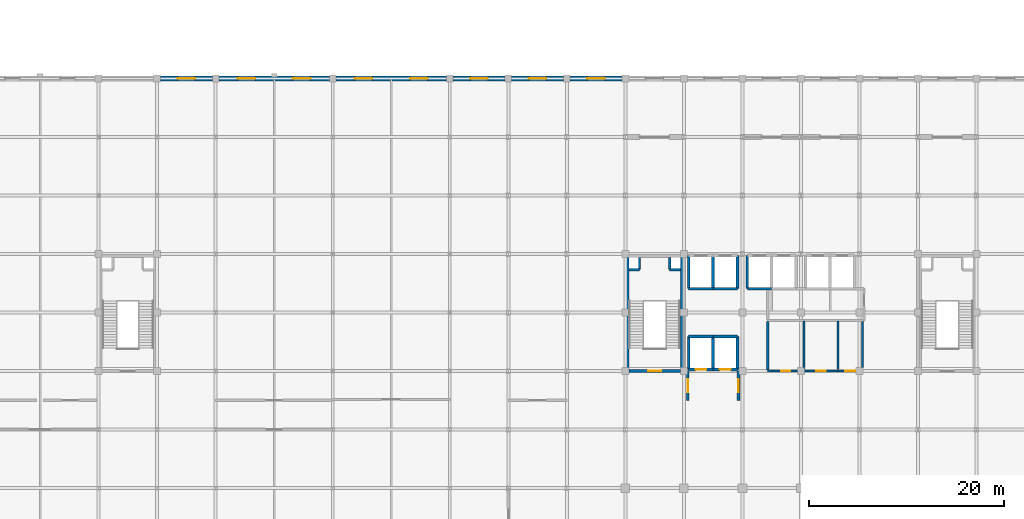
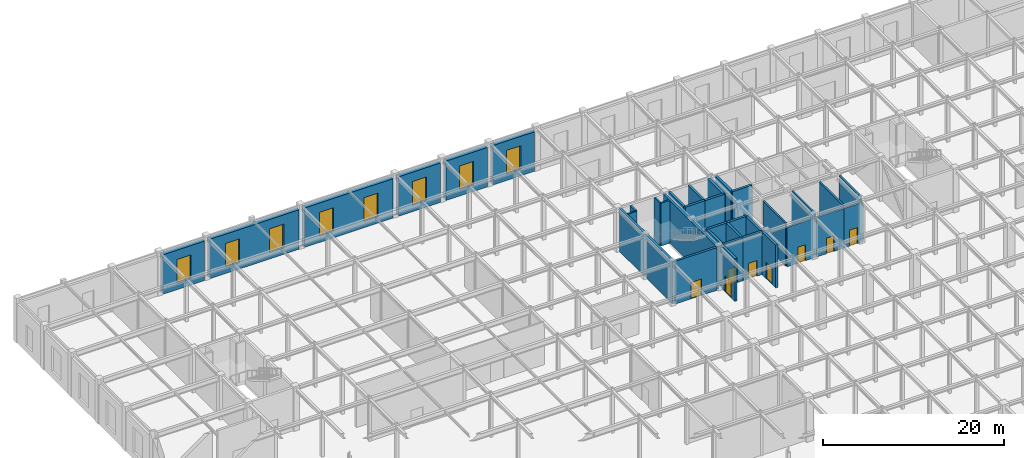
# One storey, part 44 of 51: 36 walls, 8 doors, 8 windows, 16 openings.
"""IFC4 building model written with IfcOpenShell, lengths in metres."""

from ifc_helpers import new_model, si_unit, direction, frame, frame_2d, origin, place, context, subcontext, project, spatial, rectangle, extrude, material, layer, layer_set, type_object, element, fill, save


model = new_model("IFC4")

# Units and contexts
model_context = context("Model", 3, precision=1e-05, world=origin(), true_north=direction((0.0, 1.0)))
body_context = subcontext(model_context, "Body", "Model", "MODEL_VIEW")
ifc_project = project(units=[si_unit("LENGTHUNIT", "METRE"), si_unit("AREAUNIT", "SQUARE_METRE"), si_unit("VOLUMEUNIT", "CUBIC_METRE"), si_unit("PLANEANGLEUNIT", "RADIAN"), si_unit("MASSUNIT", "GRAM", prefix="KILO")], contexts=[model_context])

# Site, building, storey
site_placement = place(None, origin())
site = spatial("IfcSite", under=ifc_project, at=site_placement, CompositionType="ELEMENT")
building_placement = place(site_placement, origin())
building = spatial("IfcBuilding", under=site, at=building_placement, Name="Zlatovratsky Civic Hall", CompositionType="ELEMENT")
storey_placement = place(building_placement, origin())
storey = spatial("IfcBuildingStorey", under=building, at=storey_placement, Name="L01", CompositionType="ELEMENT", Elevation=0.0)

# Wall, opening, window
ifc_material_1 = material(Name="Acoustic ceramic blockwork", Category="masonry")
ifc_layer_1 = layer(ifc_material_1, 0.39990234375, Name="Backing")
ifc_material_2 = material(Name="Polished Karelian granite ashlar", Category="masonry")
ifc_layer_2 = layer(ifc_material_2, 0.139892578125, Name="Finish")
ifc_layer_set_1 = layer_set([ifc_layer_1, ifc_layer_2], Name="Acoustic ceramic blockwork")
wall_type_1 = type_object("IfcWallType", Name="Wall_PodiumGraniteArcade_540", PredefinedType="SOLIDWALL", material=ifc_layer_set_1)
wall_1_placement = place(storey_placement, frame((18.35009765625, 114.0, 0.0), z_axis=(0.0, 0.0, 1.0), x_axis=(1.0, 0.0, 0.0)))
wall_1 = element("IfcWall", 1, at=wall_1_placement, inside=storey, type_object=wall_type_1, Name="WL-0106", PredefinedType="SOLIDWALL", context=body_context, shape_type="SweptSolid", body=[
    extrude(rectangle(XDim=5.2998046875, YDim=0.5400390625, at=frame_2d((2.64990234375, 0.0))), origin(), (0.0, 0.0, 1.0), 5.31005859375),
])
opening_1_placement = place(wall_1_placement, frame((1.75, 0.0, 0.85009765625)))
opening_1 = element("IfcOpeningElement", 2, at=opening_1_placement, cuts=wall_1, Name="Opening WN-03", PredefinedType="OPENING", context=body_context, shape_type="SweptSolid", body=[
    extrude(rectangle(XDim=1.800048828125, YDim=3.199951171875, at=frame_2d((0.89990234375, 1.60009765625))), frame((0.0, 0.284912109375, 0.0), z_axis=(0.0, -1.0, 0.0), x_axis=(1.0, 0.0, 0.0)), (0.0, 0.0, 1.0), 0.56982421875),
])
ifc_material_3 = material(Name="Low-E laminated double glazing", Category="glass")
window_type = type_object("IfcWindowType", Name="Window_GroundNorthArcade_1800x3200", PartitioningType="SINGLE_PANEL", PredefinedType="WINDOW", material=ifc_material_3)
window_1_placement = place(opening_1_placement, origin())
window_1 = element("IfcWindow", 3, at=window_1_placement, inside=storey, type_object=window_type, Name="WN-0021", OverallHeight=3.199951171875, OverallWidth=1.800048828125, PartitioningType="SINGLE_PANEL", PredefinedType="WINDOW", context=body_context, shape_type="SweptSolid", body=[
    extrude(rectangle(XDim=1.800048828125, YDim=3.199951171875, at=frame_2d((0.89990234375, 1.60009765625))), frame((0.0, 0.030029296875, 0.0), z_axis=(0.0, -1.0, 0.0), x_axis=(1.0, 0.0, 0.0)), (0.0, 0.0, 1.0), 0.06005859375),
])
fill(opening_1, window_1)

# Wall, openings, windows
wall_2_placement = place(storey_placement, frame((24.35009765625, 114.0, 0.0), z_axis=(0.0, 0.0, 1.0), x_axis=(1.0, 0.0, 0.0)))
wall_2 = element("IfcWall", 4, at=wall_2_placement, inside=storey, type_object=wall_type_1, Name="WL-0107", PredefinedType="SOLIDWALL", context=body_context, shape_type="SweptSolid", body=[
    extrude(rectangle(XDim=11.2998046875, YDim=0.5400390625, at=frame_2d((5.64990234375, 0.0))), origin(), (0.0, 0.0, 1.0), 5.31005859375),
])
opening_2_placement = place(wall_2_placement, frame((1.925048828125, 0.0, 0.85009765625)))
opening_2 = element("IfcOpeningElement", 5, at=opening_2_placement, cuts=wall_2, Name="Opening WN-03", PredefinedType="OPENING", context=body_context, shape_type="SweptSolid", body=[
    extrude(rectangle(XDim=1.800048828125, YDim=3.199951171875, at=frame_2d((0.89990234375, 1.60009765625))), frame((0.0, 0.284912109375, 0.0), z_axis=(0.0, -1.0, 0.0), x_axis=(1.0, 0.0, 0.0)), (0.0, 0.0, 1.0), 0.56982421875),
])
opening_3_placement = place(wall_2_placement, frame((7.574951171875, 0.0, 0.85009765625)))
opening_3 = element("IfcOpeningElement", 6, at=opening_3_placement, cuts=wall_2, Name="Opening WN-03", PredefinedType="OPENING", context=body_context, shape_type="SweptSolid", body=[
    extrude(rectangle(XDim=1.800048828125, YDim=3.199951171875, at=frame_2d((0.89990234375, 1.60009765625))), frame((0.0, 0.284912109375, 0.0), z_axis=(0.0, -1.0, 0.0), x_axis=(1.0, 0.0, 0.0)), (0.0, 0.0, 1.0), 0.56982421875),
])
window_2_placement = place(opening_2_placement, origin())
window_2 = element("IfcWindow", 7, at=window_2_placement, inside=storey, type_object=window_type, Name="WN-0022", OverallHeight=3.199951171875, OverallWidth=1.800048828125, PartitioningType="SINGLE_PANEL", PredefinedType="WINDOW", context=body_context, shape_type="SweptSolid", body=[
    extrude(rectangle(XDim=1.800048828125, YDim=3.199951171875, at=frame_2d((0.89990234375, 1.60009765625))), frame((0.0, 0.030029296875, 0.0), z_axis=(0.0, -1.0, 0.0), x_axis=(1.0, 0.0, 0.0)), (0.0, 0.0, 1.0), 0.06005859375),
])
fill(opening_2, window_2)
window_3_placement = place(opening_3_placement, origin())
window_3 = element("IfcWindow", 8, at=window_3_placement, inside=storey, type_object=window_type, Name="WN-0023", OverallHeight=3.199951171875, OverallWidth=1.800048828125, PartitioningType="SINGLE_PANEL", PredefinedType="WINDOW", context=body_context, shape_type="SweptSolid", body=[
    extrude(rectangle(XDim=1.800048828125, YDim=3.199951171875, at=frame_2d((0.89990234375, 1.60009765625))), frame((0.0, 0.030029296875, 0.0), z_axis=(0.0, -1.0, 0.0), x_axis=(1.0, 0.0, 0.0)), (0.0, 0.0, 1.0), 0.06005859375),
])
fill(opening_3, window_3)

wall_3_placement = place(storey_placement, frame((36.35009765625, 114.0, 0.0), z_axis=(0.0, 0.0, 1.0), x_axis=(1.0, 0.0, 0.0)))
wall_3 = element("IfcWall", 9, at=wall_3_placement, inside=storey, type_object=wall_type_1, Name="WL-0108", PredefinedType="SOLIDWALL", context=body_context, shape_type="SweptSolid", body=[
    extrude(rectangle(XDim=11.2998046875, YDim=0.5400390625, at=frame_2d((5.64990234375, 0.0))), origin(), (0.0, 0.0, 1.0), 5.31005859375),
])
opening_4_placement = place(wall_3_placement, frame((1.925048828125, 0.0, 0.85009765625)))
opening_4 = element("IfcOpeningElement", 10, at=opening_4_placement, cuts=wall_3, Name="Opening WN-03", PredefinedType="OPENING", context=body_context, shape_type="SweptSolid", body=[
    extrude(rectangle(XDim=1.800048828125, YDim=3.199951171875, at=frame_2d((0.89990234375, 1.60009765625))), frame((0.0, 0.284912109375, 0.0), z_axis=(0.0, -1.0, 0.0), x_axis=(1.0, 0.0, 0.0)), (0.0, 0.0, 1.0), 0.56982421875),
])
opening_5_placement = place(wall_3_placement, frame((7.574951171875, 0.0, 0.85009765625)))
opening_5 = element("IfcOpeningElement", 11, at=opening_5_placement, cuts=wall_3, Name="Opening WN-03", PredefinedType="OPENING", context=body_context, shape_type="SweptSolid", body=[
    extrude(rectangle(XDim=1.800048828125, YDim=3.199951171875, at=frame_2d((0.89990234375, 1.60009765625))), frame((0.0, 0.284912109375, 0.0), z_axis=(0.0, -1.0, 0.0), x_axis=(1.0, 0.0, 0.0)), (0.0, 0.0, 1.0), 0.56982421875),
])
window_4_placement = place(opening_4_placement, origin())
window_4 = element("IfcWindow", 12, at=window_4_placement, inside=storey, type_object=window_type, Name="WN-0024", OverallHeight=3.199951171875, OverallWidth=1.800048828125, PartitioningType="SINGLE_PANEL", PredefinedType="WINDOW", context=body_context, shape_type="SweptSolid", body=[
    extrude(rectangle(XDim=1.800048828125, YDim=3.199951171875, at=frame_2d((0.89990234375, 1.60009765625))), frame((0.0, 0.030029296875, 0.0), z_axis=(0.0, -1.0, 0.0), x_axis=(1.0, 0.0, 0.0)), (0.0, 0.0, 1.0), 0.06005859375),
])
fill(opening_4, window_4)
window_5_placement = place(opening_5_placement, origin())
window_5 = element("IfcWindow", 13, at=window_5_placement, inside=storey, type_object=window_type, Name="WN-0025", OverallHeight=3.199951171875, OverallWidth=1.800048828125, PartitioningType="SINGLE_PANEL", PredefinedType="WINDOW", context=body_context, shape_type="SweptSolid", body=[
    extrude(rectangle(XDim=1.800048828125, YDim=3.199951171875, at=frame_2d((0.89990234375, 1.60009765625))), frame((0.0, 0.030029296875, 0.0), z_axis=(0.0, -1.0, 0.0), x_axis=(1.0, 0.0, 0.0)), (0.0, 0.0, 1.0), 0.06005859375),
])
fill(opening_5, window_5)

# Wall, opening, window
wall_4_placement = place(storey_placement, frame((48.35009765625, 114.0, 0.0), z_axis=(0.0, 0.0, 1.0), x_axis=(1.0, 0.0, 0.0)))
wall_4 = element("IfcWall", 14, at=wall_4_placement, inside=storey, type_object=wall_type_1, Name="WL-0109", PredefinedType="SOLIDWALL", context=body_context, shape_type="SweptSolid", body=[
    extrude(rectangle(XDim=5.2998046875, YDim=0.5400390625, at=frame_2d((2.64990234375, 0.0))), origin(), (0.0, 0.0, 1.0), 5.31005859375),
])
opening_6_placement = place(wall_4_placement, frame((1.75, 0.0, 0.85009765625)))
opening_6 = element("IfcOpeningElement", 15, at=opening_6_placement, cuts=wall_4, Name="Opening WN-03", PredefinedType="OPENING", context=body_context, shape_type="SweptSolid", body=[
    extrude(rectangle(XDim=1.800048828125, YDim=3.199951171875, at=frame_2d((0.89990234375, 1.60009765625))), frame((0.0, 0.284912109375, 0.0), z_axis=(0.0, -1.0, 0.0), x_axis=(1.0, 0.0, 0.0)), (0.0, 0.0, 1.0), 0.56982421875),
])
window_6_placement = place(opening_6_placement, origin())
window_6 = element("IfcWindow", 16, at=window_6_placement, inside=storey, type_object=window_type, Name="WN-0026", OverallHeight=3.199951171875, OverallWidth=1.800048828125, PartitioningType="SINGLE_PANEL", PredefinedType="WINDOW", context=body_context, shape_type="SweptSolid", body=[
    extrude(rectangle(XDim=1.800048828125, YDim=3.199951171875, at=frame_2d((0.89990234375, 1.60009765625))), frame((0.0, 0.030029296875, 0.0), z_axis=(0.0, -1.0, 0.0), x_axis=(1.0, 0.0, 0.0)), (0.0, 0.0, 1.0), 0.06005859375),
])
fill(opening_6, window_6)

wall_5_placement = place(storey_placement, frame((54.35009765625, 114.0, 0.0), z_axis=(0.0, 0.0, 1.0), x_axis=(1.0, 0.0, 0.0)))
wall_5 = element("IfcWall", 17, at=wall_5_placement, inside=storey, type_object=wall_type_1, Name="WL-0110", PredefinedType="SOLIDWALL", context=body_context, shape_type="SweptSolid", body=[
    extrude(rectangle(XDim=5.2998046875, YDim=0.5400390625, at=frame_2d((2.64990234375, 0.0))), origin(), (0.0, 0.0, 1.0), 5.31005859375),
])
opening_7_placement = place(wall_5_placement, frame((1.75, 0.0, 0.85009765625)))
opening_7 = element("IfcOpeningElement", 18, at=opening_7_placement, cuts=wall_5, Name="Opening WN-03", PredefinedType="OPENING", context=body_context, shape_type="SweptSolid", body=[
    extrude(rectangle(XDim=1.800048828125, YDim=3.199951171875, at=frame_2d((0.89990234375, 1.60009765625))), frame((0.0, 0.284912109375, 0.0), z_axis=(0.0, -1.0, 0.0), x_axis=(1.0, 0.0, 0.0)), (0.0, 0.0, 1.0), 0.56982421875),
])
window_7_placement = place(opening_7_placement, origin())
window_7 = element("IfcWindow", 19, at=window_7_placement, inside=storey, type_object=window_type, Name="WN-0027", OverallHeight=3.199951171875, OverallWidth=1.800048828125, PartitioningType="SINGLE_PANEL", PredefinedType="WINDOW", context=body_context, shape_type="SweptSolid", body=[
    extrude(rectangle(XDim=1.800048828125, YDim=3.199951171875, at=frame_2d((0.89990234375, 1.60009765625))), frame((0.0, 0.030029296875, 0.0), z_axis=(0.0, -1.0, 0.0), x_axis=(1.0, 0.0, 0.0)), (0.0, 0.0, 1.0), 0.06005859375),
])
fill(opening_7, window_7)

wall_6_placement = place(storey_placement, frame((60.35009765625, 114.0, 0.0), z_axis=(0.0, 0.0, 1.0), x_axis=(1.0, 0.0, 0.0)))
wall_6 = element("IfcWall", 20, at=wall_6_placement, inside=storey, type_object=wall_type_1, Name="WL-0111", PredefinedType="SOLIDWALL", context=body_context, shape_type="SweptSolid", body=[
    extrude(rectangle(XDim=5.2998046875, YDim=0.5400390625, at=frame_2d((2.64990234375, 0.0))), origin(), (0.0, 0.0, 1.0), 5.31005859375),
])
opening_8_placement = place(wall_6_placement, frame((1.75, 0.0, 0.85009765625)))
opening_8 = element("IfcOpeningElement", 21, at=opening_8_placement, cuts=wall_6, Name="Opening WN-03", PredefinedType="OPENING", context=body_context, shape_type="SweptSolid", body=[
    extrude(rectangle(XDim=1.800048828125, YDim=3.199951171875, at=frame_2d((0.89990234375, 1.60009765625))), frame((0.0, 0.284912109375, 0.0), z_axis=(0.0, -1.0, 0.0), x_axis=(1.0, 0.0, 0.0)), (0.0, 0.0, 1.0), 0.56982421875),
])
window_8_placement = place(opening_8_placement, origin())
window_8 = element("IfcWindow", 22, at=window_8_placement, inside=storey, type_object=window_type, Name="WN-0028", OverallHeight=3.199951171875, OverallWidth=1.800048828125, PartitioningType="SINGLE_PANEL", PredefinedType="WINDOW", context=body_context, shape_type="SweptSolid", body=[
    extrude(rectangle(XDim=1.800048828125, YDim=3.199951171875, at=frame_2d((0.89990234375, 1.60009765625))), frame((0.0, 0.030029296875, 0.0), z_axis=(0.0, -1.0, 0.0), x_axis=(1.0, 0.0, 0.0)), (0.0, 0.0, 1.0), 0.06005859375),
])
fill(opening_8, window_8)

# Walls
ifc_layer_3 = layer(ifc_material_1, 0.219970703125)
ifc_layer_set_2 = layer_set([ifc_layer_3], Name="Acoustic ceramic blockwork")
wall_type_2 = type_object("IfcWallType", Name="Wall_SanitaryWetCore_220", PredefinedType="PARTITIONING", material=ifc_layer_set_2)
wall_7_placement = place(storey_placement, frame((67.449951171875, 94.39990234375, 0.0), z_axis=(0.0, 0.0, 1.0), x_axis=(0.0, 1.0, 0.0)))
element("IfcWall", 23, at=wall_7_placement, inside=storey, type_object=wall_type_2, Name="WL-5013", PredefinedType="PARTITIONING", context=body_context, shape_type="SweptSolid", body=[
    extrude(rectangle(XDim=1.25, YDim=0.219970703125, at=frame_2d((0.625, 0.0))), origin(), (0.0, 0.0, 1.0), 5.760009765625),
])
wall_8_placement = place(storey_placement, frame((66.35009765625, 94.39990234375, 0.0), z_axis=(0.0, 0.0, 1.0), x_axis=(1.0, 0.0, 0.0)))
element("IfcWall", 24, at=wall_8_placement, inside=storey, type_object=wall_type_2, Name="WL-5014", PredefinedType="PARTITIONING", context=body_context, shape_type="SweptSolid", body=[
    extrude(rectangle(XDim=1.099853515625, YDim=0.219970703125, at=frame_2d((0.5498046875, 0.0))), origin(), (0.0, 0.0, 1.0), 5.760009765625),
])
wall_9_placement = place(storey_placement, frame((70.550048828125, 94.39990234375, 0.0), z_axis=(0.0, 0.0, 1.0), x_axis=(0.0, 1.0, 0.0)))
element("IfcWall", 25, at=wall_9_placement, inside=storey, type_object=wall_type_2, Name="WL-5015", PredefinedType="PARTITIONING", context=body_context, shape_type="SweptSolid", body=[
    extrude(rectangle(XDim=1.25, YDim=0.219970703125, at=frame_2d((0.625, 0.0))), origin(), (0.0, 0.0, 1.0), 5.760009765625),
])
wall_10_placement = place(storey_placement, frame((70.550048828125, 94.39990234375, 0.0), z_axis=(0.0, 0.0, 1.0), x_axis=(1.0, 0.0, 0.0)))
element("IfcWall", 26, at=wall_10_placement, inside=storey, type_object=wall_type_2, Name="WL-5016", PredefinedType="PARTITIONING", context=body_context, shape_type="SweptSolid", body=[
    extrude(rectangle(XDim=1.099853515625, YDim=0.219970703125, at=frame_2d((0.5498046875, 0.0))), origin(), (0.0, 0.0, 1.0), 5.760009765625),
])

# Wall, opening, door
wall_11_placement = place(storey_placement, frame((80.60009765625, 84.0, 0.0), z_axis=(0.0, 0.0, 1.0), x_axis=(1.0, 0.0, 0.0)))
wall_11 = element("IfcWall", 27, at=wall_11_placement, inside=storey, type_object=wall_type_2, Name="WL-6058", PredefinedType="PARTITIONING", context=body_context, shape_type="SweptSolid", body=[
    extrude(rectangle(XDim=3.699951171875, YDim=0.219970703125, at=frame_2d((1.85009765625, 0.0))), origin(), (0.0, 0.0, 1.0), 5.320068359375),
])
opening_9_placement = place(wall_11_placement, frame((1.375, 0.0, 0.0)))
opening_9 = element("IfcOpeningElement", 28, at=opening_9_placement, cuts=wall_11, Name="Opening D-21", PredefinedType="OPENING", context=body_context, shape_type="SweptSolid", body=[
    extrude(rectangle(XDim=0.949951171875, YDim=2.14990234375, at=frame_2d((0.47509765625, 1.074951171875))), frame((0.0, 0.125, 0.0), z_axis=(0.0, -1.0, 0.0), x_axis=(1.0, 0.0, 0.0)), (0.0, 0.0, 1.0), 0.249755859375),
])
ifc_material_4 = material(Name="Solid oak joinery in steel frame", Category="steel")
door_type_1 = type_object("IfcDoorType", Name="Door_MensWC_950x2150", OperationType="NOTDEFINED", PredefinedType="DOOR", material=ifc_material_4)
door_1_placement = place(opening_9_placement, origin())
door_1 = element("IfcDoor", 29, at=door_1_placement, inside=storey, type_object=door_type_1, Name="DR-5222", OperationType="SINGLE_SWING_LEFT", OverallHeight=2.14990234375, OverallWidth=0.949951171875, PredefinedType="DOOR", context=body_context, shape_type="SweptSolid", body=[
    extrude(rectangle(XDim=0.949951171875, YDim=2.14990234375, at=frame_2d((0.47509765625, 1.074951171875))), frame((0.0, 0.02490234375, 0.0), z_axis=(0.0, -1.0, 0.0), x_axis=(1.0, 0.0, 0.0)), (0.0, 0.0, 1.0), 0.050048828125),
])
fill(opening_9, door_1)

wall_12_placement = place(storey_placement, frame((84.300048828125, 84.0, 0.0), z_axis=(0.0, 0.0, 1.0), x_axis=(1.0, 0.0, 0.0)))
wall_12 = element("IfcWall", 30, at=wall_12_placement, inside=storey, type_object=wall_type_2, Name="WL-6059", PredefinedType="PARTITIONING", context=body_context, shape_type="SweptSolid", body=[
    extrude(rectangle(XDim=3.5, YDim=0.219970703125, at=frame_2d((1.75, 0.0))), origin(), (0.0, 0.0, 1.0), 5.320068359375),
])
opening_10_placement = place(wall_12_placement, frame((1.27490234375, 0.0, 0.0)))
opening_10 = element("IfcOpeningElement", 31, at=opening_10_placement, cuts=wall_12, Name="Opening D-22", PredefinedType="OPENING", context=body_context, shape_type="SweptSolid", body=[
    extrude(rectangle(XDim=0.949951171875, YDim=2.10009765625, at=frame_2d((0.47509765625, 1.050048828125))), frame((0.0, 0.125, 0.0), z_axis=(0.0, -1.0, 0.0), x_axis=(1.0, 0.0, 0.0)), (0.0, 0.0, 1.0), 0.249755859375),
])
door_type_2 = type_object("IfcDoorType", Name="Door_WomensWC_950x2100", OperationType="NOTDEFINED", PredefinedType="DOOR", material=ifc_material_4)
door_2_placement = place(opening_10_placement, origin())
door_2 = element("IfcDoor", 32, at=door_2_placement, inside=storey, type_object=door_type_2, Name="DR-5223", OperationType="SINGLE_SWING_RIGHT", OverallHeight=2.10009765625, OverallWidth=0.949951171875, PredefinedType="DOOR", context=body_context, shape_type="SweptSolid", body=[
    extrude(rectangle(XDim=0.949951171875, YDim=2.10009765625, at=frame_2d((0.47509765625, 1.050048828125))), frame((0.0, 0.02490234375, 0.0), z_axis=(0.0, -1.0, 0.0), x_axis=(1.0, 0.0, 0.0)), (0.0, 0.0, 1.0), 0.050048828125),
])
fill(opening_10, door_2)

wall_13_placement = place(storey_placement, frame((87.800048828125, 84.0, 0.0), z_axis=(0.0, 0.0, 1.0), x_axis=(1.0, 0.0, 0.0)))
wall_13 = element("IfcWall", 33, at=wall_13_placement, inside=storey, type_object=wall_type_2, Name="WL-6060", PredefinedType="PARTITIONING", context=body_context, shape_type="SweptSolid", body=[
    extrude(rectangle(XDim=2.5, YDim=0.219970703125, at=frame_2d((1.25, 0.0))), origin(), (0.0, 0.0, 1.0), 5.320068359375),
])
opening_11_placement = place(wall_13_placement, frame((0.75, 0.0, 0.0)))
opening_11 = element("IfcOpeningElement", 34, at=opening_11_placement, cuts=wall_13, Name="Opening D-20", PredefinedType="OPENING", context=body_context, shape_type="SweptSolid", body=[
    extrude(rectangle(XDim=1.0, YDim=2.14990234375, at=frame_2d((0.5, 1.074951171875))), frame((0.0, 0.125, 0.0), z_axis=(0.0, -1.0, 0.0), x_axis=(1.0, 0.0, 0.0)), (0.0, 0.0, 1.0), 0.249755859375),
])
door_type_3 = type_object("IfcDoorType", Name="Door_AccessibleWC_1000x2150", OperationType="NOTDEFINED", PredefinedType="DOOR", material=ifc_material_4)
door_3_placement = place(opening_11_placement, origin())
door_3 = element("IfcDoor", 35, at=door_3_placement, inside=storey, type_object=door_type_3, Name="DR-5224", OperationType="SINGLE_SWING_LEFT", OverallHeight=2.14990234375, OverallWidth=1.0, PredefinedType="DOOR", context=body_context, shape_type="SweptSolid", body=[
    extrude(rectangle(XDim=1.0, YDim=2.14990234375, at=frame_2d((0.5, 1.074951171875))), frame((0.0, 0.02490234375, 0.0), z_axis=(0.0, -1.0, 0.0), x_axis=(1.0, 0.0, 0.0)), (0.0, 0.0, 1.0), 0.050048828125),
])
fill(opening_11, door_3)

# Walls
for number, where, z_axis, x_axis, name in (
    (36, (84.300048828125, 84.14990234375, 0.0), (0.0, 0.0, 1.0), (0.0, 1.0, 0.0), "WL-6061"),
    (37, (87.800048828125, 84.14990234375, 0.0), (0.0, 0.0, 1.0), (0.0, 1.0, 0.0), "WL-6062"),
):
    element("IfcWall", number, at=place(storey_placement, frame(where, z_axis=z_axis, x_axis=x_axis)), inside=storey, type_object=wall_type_2, Name=name, PredefinedType="PARTITIONING", context=body_context, shape_type="SweptSolid", body=[
        extrude(rectangle(XDim=5.0, YDim=0.219970703125, at=frame_2d((2.5, 0.0))), origin(), (0.0, 0.0, 1.0), 5.760009765625),
    ])
wall_14_placement = place(storey_placement, frame((80.60009765625, 84.110107421875, 0.0), z_axis=(0.0, 0.0, 1.0), x_axis=(0.0, 1.0, 0.0)))
element("IfcWall", 38, at=wall_14_placement, inside=storey, type_object=wall_type_2, Name="WL-6103", PredefinedType="PARTITIONING", context=body_context, shape_type="SweptSolid", body=[
    extrude(rectangle(XDim=4.97998046875, YDim=0.219970703125, at=frame_2d((2.489990234375, 0.0))), origin(), (0.0, 0.0, 1.0), 5.760009765625),
])
wall_15_placement = place(storey_placement, frame((90.300048828125, 84.360107421875, 0.0), z_axis=(0.0, 0.0, 1.0), x_axis=(0.0, 1.0, 0.0)))
element("IfcWall", 39, at=wall_15_placement, inside=storey, type_object=wall_type_2, Name="WL-6104", PredefinedType="PARTITIONING", context=body_context, shape_type="SweptSolid", body=[
    extrude(rectangle(XDim=4.72998046875, YDim=0.219970703125, at=frame_2d((2.364990234375, 0.0))), origin(), (0.0, 0.0, 1.0), 5.760009765625),
])

# Wall, opening, door
ifc_material_5 = material(Name="Concrete C35/45 (B40)", Category="concrete")
ifc_layer_4 = layer(ifc_material_5, 0.300048828125)
ifc_layer_set_3 = layer_set([ifc_layer_4], Name="Concrete C35/45 (B40)")
wall_type_3 = type_object("IfcWallType", Name="Wall_StairAndLiftShaft_300", PredefinedType="SHEAR", material=ifc_layer_set_3)
wall_16_placement = place(storey_placement, frame((66.35009765625, 84.0, 0.0), z_axis=(0.0, 0.0, 1.0), x_axis=(1.0, 0.0, 0.0)))
wall_16 = element("IfcWall", 40, at=wall_16_placement, inside=storey, type_object=wall_type_3, Name="WL-5009", PredefinedType="SHEAR", context=body_context, shape_type="SweptSolid", body=[
    extrude(rectangle(XDim=5.2998046875, YDim=0.300048828125, at=frame_2d((2.64990234375, 0.0))), origin(), (0.0, 0.0, 1.0), 5.760009765625),
])
opening_12_placement = place(wall_16_placement, frame((1.97509765625, 0.0, 0.0)))
opening_12 = element("IfcOpeningElement", 41, at=opening_12_placement, cuts=wall_16, Name="Opening D-17", PredefinedType="OPENING", context=body_context, shape_type="SweptSolid", body=[
    extrude(rectangle(XDim=1.35009765625, YDim=2.199951171875, at=frame_2d((0.675048828125, 1.10009765625))), frame((0.0, 0.1650390625, 0.0), z_axis=(0.0, -1.0, 0.0), x_axis=(1.0, 0.0, 0.0)), (0.0, 0.0, 1.0), 0.329833984375),
])
ifc_material_6 = material(Name="Insulated painted fire-rated steel leaf", Category="steel")
door_type_4 = type_object("IfcDoorType", Name="Door_StairwellFireTower_1350x2200", OperationType="NOTDEFINED", PredefinedType="DOOR", material=ifc_material_6)
door_4_placement = place(opening_12_placement, origin())
door_4 = element("IfcDoor", 42, at=door_4_placement, inside=storey, type_object=door_type_4, Name="DR-5002", OperationType="SINGLE_SWING_LEFT", OverallHeight=2.199951171875, OverallWidth=1.35009765625, PredefinedType="DOOR", context=body_context, shape_type="SweptSolid", body=[
    extrude(rectangle(XDim=1.35009765625, YDim=2.199951171875, at=frame_2d((0.675048828125, 1.10009765625))), frame((0.0, 0.02490234375, 0.0), z_axis=(0.0, -1.0, 0.0), x_axis=(1.0, 0.0, 0.0)), (0.0, 0.0, 1.0), 0.050048828125),
])
fill(opening_12, door_4)

# Walls
for number, where, z_axis, x_axis, name in (
    (43, (66.199951171875, 84.0, 0.0), (0.0, 0.0, 1.0), (0.0, 1.0, 0.0), "WL-5011"),
    (44, (71.800048828125, 84.0, 0.0), (0.0, 0.0, 1.0), (0.0, 1.0, 0.0), "WL-5012"),
):
    element("IfcWall", number, at=place(storey_placement, frame(where, z_axis=z_axis, x_axis=x_axis)), inside=storey, type_object=wall_type_3, Name=name, PredefinedType="SHEAR", context=body_context, shape_type="SweptSolid", body=[
        extrude(rectangle(XDim=11.800048828125, YDim=0.300048828125, at=frame_2d((5.89990234375, 0.0))), origin(), (0.0, 0.0, 1.0), 5.760009765625),
    ])

# Wall, opening, door
wall_17_placement = place(storey_placement, frame((72.5, 84.14990234375, 0.0), z_axis=(0.0, 0.0, 1.0), x_axis=(1.0, 0.0, 0.0)))
wall_17 = element("IfcWall", 45, at=wall_17_placement, inside=storey, type_object=wall_type_3, Name="WL-5496", PredefinedType="SHEAR", context=body_context, shape_type="SweptSolid", body=[
    extrude(rectangle(XDim=2.5, YDim=0.300048828125, at=frame_2d((1.25, 0.0))), origin(), (0.0, 0.0, 1.0), 5.760009765625),
])
opening_13_placement = place(wall_17_placement, frame((0.699951171875, 0.0, 0.0)))
opening_13 = element("IfcOpeningElement", 46, at=opening_13_placement, cuts=wall_17, Name="Opening LD-01", PredefinedType="OPENING", context=body_context, shape_type="SweptSolid", body=[
    extrude(rectangle(XDim=1.10009765625, YDim=2.10009765625, at=frame_2d((0.550048828125, 1.050048828125))), frame((0.0, 0.1650390625, 0.0), z_axis=(0.0, -1.0, 0.0), x_axis=(1.0, 0.0, 0.0)), (0.0, 0.0, 1.0), 0.329833984375),
])
ifc_material_7 = material(Name="Brushed stainless steel AISI 304", Category="steel")
door_type_5 = type_object("IfcDoorType", Name="Door_LiftLandingFire_1100x2100", OperationType="DOUBLE_DOOR_SLIDING", PredefinedType="DOOR", material=ifc_material_7)
door_5_placement = place(opening_13_placement, origin())
door_5 = element("IfcDoor", 47, at=door_5_placement, inside=storey, type_object=door_type_5, Name="Lift landing door LD-5060", OperationType="DOUBLE_DOOR_SLIDING", OverallHeight=2.10009765625, OverallWidth=1.10009765625, PredefinedType="DOOR", context=body_context, shape_type="SweptSolid", body=[
    extrude(rectangle(XDim=1.10009765625, YDim=2.10009765625, at=frame_2d((0.550048828125, 1.050048828125))), frame((0.0, 0.02490234375, 0.0), z_axis=(0.0, -1.0, 0.0), x_axis=(1.0, 0.0, 0.0)), (0.0, 0.0, 1.0), 0.050048828125),
])
fill(opening_13, door_5)

# Walls
wall_18_placement = place(storey_placement, frame((72.5, 87.550048828125, 0.0), z_axis=(0.0, 0.0, 1.0), x_axis=(1.0, 0.0, 0.0)))
element("IfcWall", 48, at=wall_18_placement, inside=storey, type_object=wall_type_3, Name="WL-5497", PredefinedType="SHEAR", context=body_context, shape_type="SweptSolid", body=[
    extrude(rectangle(XDim=2.5, YDim=0.300048828125, at=frame_2d((1.25, 0.0))), origin(), (0.0, 0.0, 1.0), 5.760009765625),
])
wall_19_placement = place(storey_placement, frame((72.5, 84.14990234375, 0.0), z_axis=(0.0, 0.0, 1.0), x_axis=(0.0, 1.0, 0.0)))
element("IfcWall", 49, at=wall_19_placement, inside=storey, type_object=wall_type_3, Name="WL-5498", PredefinedType="SHEAR", context=body_context, shape_type="SweptSolid", body=[
    extrude(rectangle(XDim=3.400146484375, YDim=0.300048828125, at=frame_2d((1.7001953125, 0.0))), origin(), (0.0, 0.0, 1.0), 5.760009765625),
])

# Wall, opening, door
wall_20_placement = place(storey_placement, frame((75.0, 84.14990234375, 0.0), z_axis=(0.0, 0.0, 1.0), x_axis=(1.0, 0.0, 0.0)))
wall_20 = element("IfcWall", 50, at=wall_20_placement, inside=storey, type_object=wall_type_3, Name="WL-5554", PredefinedType="SHEAR", context=body_context, shape_type="SweptSolid", body=[
    extrude(rectangle(XDim=2.5, YDim=0.300048828125, at=frame_2d((1.25, 0.0))), origin(), (0.0, 0.0, 1.0), 5.760009765625),
])
opening_14_placement = place(wall_20_placement, frame((0.699951171875, 0.0, 0.0)))
opening_14 = element("IfcOpeningElement", 51, at=opening_14_placement, cuts=wall_20, Name="Opening LD-01", PredefinedType="OPENING", context=body_context, shape_type="SweptSolid", body=[
    extrude(rectangle(XDim=1.10009765625, YDim=2.10009765625, at=frame_2d((0.550048828125, 1.050048828125))), frame((0.0, 0.1650390625, 0.0), z_axis=(0.0, -1.0, 0.0), x_axis=(1.0, 0.0, 0.0)), (0.0, 0.0, 1.0), 0.329833984375),
])
door_6_placement = place(opening_14_placement, origin())
door_6 = element("IfcDoor", 52, at=door_6_placement, inside=storey, type_object=door_type_5, Name="Lift landing door LD-5079", OperationType="DOUBLE_DOOR_SLIDING", OverallHeight=2.10009765625, OverallWidth=1.10009765625, PredefinedType="DOOR", context=body_context, shape_type="SweptSolid", body=[
    extrude(rectangle(XDim=1.10009765625, YDim=2.10009765625, at=frame_2d((0.550048828125, 1.050048828125))), frame((0.0, 0.02490234375, 0.0), z_axis=(0.0, -1.0, 0.0), x_axis=(1.0, 0.0, 0.0)), (0.0, 0.0, 1.0), 0.050048828125),
])
fill(opening_14, door_6)

# Walls
wall_21_placement = place(storey_placement, frame((75.0, 87.550048828125, 0.0), z_axis=(0.0, 0.0, 1.0), x_axis=(1.0, 0.0, 0.0)))
element("IfcWall", 53, at=wall_21_placement, inside=storey, type_object=wall_type_3, Name="WL-5555", PredefinedType="SHEAR", context=body_context, shape_type="SweptSolid", body=[
    extrude(rectangle(XDim=2.5, YDim=0.300048828125, at=frame_2d((1.25, 0.0))), origin(), (0.0, 0.0, 1.0), 5.760009765625),
])
for number, where, z_axis, x_axis, name in (
    (54, (75.0, 84.14990234375, 0.0), (0.0, 0.0, 1.0), (0.0, 1.0, 0.0), "WL-5556"),
    (55, (77.5, 84.14990234375, 0.0), (0.0, 0.0, 1.0), (0.0, 1.0, 0.0), "WL-5557"),
):
    element("IfcWall", number, at=place(storey_placement, frame(where, z_axis=z_axis, x_axis=x_axis)), inside=storey, type_object=wall_type_3, Name=name, PredefinedType="SHEAR", context=body_context, shape_type="SweptSolid", body=[
        extrude(rectangle(XDim=3.400146484375, YDim=0.300048828125, at=frame_2d((1.7001953125, 0.0))), origin(), (0.0, 0.0, 1.0), 5.760009765625),
    ])
wall_22_placement = place(storey_placement, frame((72.5, 92.449951171875, 0.0), z_axis=(0.0, 0.0, 1.0), x_axis=(1.0, 0.0, 0.0)))
element("IfcWall", 56, at=wall_22_placement, inside=storey, type_object=wall_type_3, Name="WL-5630", PredefinedType="SHEAR", context=body_context, shape_type="SweptSolid", body=[
    extrude(rectangle(XDim=2.5, YDim=0.300048828125, at=frame_2d((1.25, 0.0))), origin(), (0.0, 0.0, 1.0), 5.760009765625),
])
wall_23_placement = place(storey_placement, frame((72.5, 92.449951171875, 0.0), z_axis=(0.0, 0.0, 1.0), x_axis=(0.0, 1.0, 0.0)))
element("IfcWall", 57, at=wall_23_placement, inside=storey, type_object=wall_type_3, Name="WL-5631", PredefinedType="SHEAR", context=body_context, shape_type="SweptSolid", body=[
    extrude(rectangle(XDim=3.400146484375, YDim=0.300048828125, at=frame_2d((1.7001953125, 0.0))), origin(), (0.0, 0.0, 1.0), 5.760009765625),
])
wall_24_placement = place(storey_placement, frame((75.0, 92.449951171875, 0.0), z_axis=(0.0, 0.0, 1.0), x_axis=(1.0, 0.0, 0.0)))
element("IfcWall", 58, at=wall_24_placement, inside=storey, type_object=wall_type_3, Name="WL-5688", PredefinedType="SHEAR", context=body_context, shape_type="SweptSolid", body=[
    extrude(rectangle(XDim=2.5, YDim=0.300048828125, at=frame_2d((1.25, 0.0))), origin(), (0.0, 0.0, 1.0), 5.760009765625),
])
for number, where, z_axis, x_axis, name in (
    (59, (75.0, 92.449951171875, 0.0), (0.0, 0.0, 1.0), (0.0, 1.0, 0.0), "WL-5689"),
    (60, (77.5, 92.449951171875, 0.0), (0.0, 0.0, 1.0), (0.0, 1.0, 0.0), "WL-5690"),
):
    element("IfcWall", number, at=place(storey_placement, frame(where, z_axis=z_axis, x_axis=x_axis)), inside=storey, type_object=wall_type_3, Name=name, PredefinedType="SHEAR", context=body_context, shape_type="SweptSolid", body=[
        extrude(rectangle(XDim=3.400146484375, YDim=0.300048828125, at=frame_2d((1.7001953125, 0.0))), origin(), (0.0, 0.0, 1.0), 5.760009765625),
    ])
wall_25_placement = place(storey_placement, frame((78.5, 92.449951171875, 0.0), z_axis=(0.0, 0.0, 1.0), x_axis=(1.0, 0.0, 0.0)))
element("IfcWall", 61, at=wall_25_placement, inside=storey, type_object=wall_type_3, Name="WL-5763", PredefinedType="SHEAR", context=body_context, shape_type="SweptSolid", body=[
    extrude(rectangle(XDim=2.5, YDim=0.300048828125, at=frame_2d((1.25, 0.0))), origin(), (0.0, 0.0, 1.0), 5.760009765625),
])
wall_26_placement = place(storey_placement, frame((78.5, 92.449951171875, 0.0), z_axis=(0.0, 0.0, 1.0), x_axis=(0.0, 1.0, 0.0)))
element("IfcWall", 62, at=wall_26_placement, inside=storey, type_object=wall_type_3, Name="WL-5764", PredefinedType="SHEAR", context=body_context, shape_type="SweptSolid", body=[
    extrude(rectangle(XDim=3.400146484375, YDim=0.300048828125, at=frame_2d((1.7001953125, 0.0))), origin(), (0.0, 0.0, 1.0), 5.760009765625),
])

# Wall, opening, door
wall_27_placement = place(storey_placement, frame((72.39990234375, 81.0, 0.0), z_axis=(0.0, 0.0, 1.0), x_axis=(0.0, 1.0, 0.0)))
wall_27 = element("IfcWall", 63, at=wall_27_placement, inside=storey, type_object=wall_type_3, Name="WL-6056", PredefinedType="SHEAR", context=body_context, shape_type="SweptSolid", body=[
    extrude(rectangle(XDim=3.0, YDim=0.300048828125, at=frame_2d((1.5, 0.0))), origin(), (0.0, 0.0, 1.0), 5.760009765625),
])
opening_15_placement = place(wall_27_placement, frame((0.85009765625, 0.0, 0.0)))
opening_15 = element("IfcOpeningElement", 64, at=opening_15_placement, cuts=wall_27, Name="Opening D-18", PredefinedType="OPENING", context=body_context, shape_type="SweptSolid", body=[
    extrude(rectangle(XDim=1.300048828125, YDim=2.199951171875, at=frame_2d((0.64990234375, 1.10009765625))), frame((0.0, 0.1650390625, 0.0), z_axis=(0.0, -1.0, 0.0), x_axis=(1.0, 0.0, 0.0)), (0.0, 0.0, 1.0), 0.329833984375),
])
door_type_6 = type_object("IfcDoorType", Name="Door_FireLobbyAirlock_1300x2200", OperationType="NOTDEFINED", PredefinedType="DOOR", material=ifc_material_6)
door_7_placement = place(opening_15_placement, origin())
door_7 = element("IfcDoor", 65, at=door_7_placement, inside=storey, type_object=door_type_6, Name="DR-5220", OperationType="SINGLE_SWING_RIGHT", OverallHeight=2.199951171875, OverallWidth=1.300048828125, PredefinedType="DOOR", context=body_context, shape_type="SweptSolid", body=[
    extrude(rectangle(XDim=1.300048828125, YDim=2.199951171875, at=frame_2d((0.64990234375, 1.10009765625))), frame((0.0, 0.02490234375, 0.0), z_axis=(0.0, -1.0, 0.0), x_axis=(1.0, 0.0, 0.0)), (0.0, 0.0, 1.0), 0.050048828125),
])
fill(opening_15, door_7)

wall_28_placement = place(storey_placement, frame((77.60009765625, 81.0, 0.0), z_axis=(0.0, 0.0, 1.0), x_axis=(0.0, 1.0, 0.0)))
wall_28 = element("IfcWall", 66, at=wall_28_placement, inside=storey, type_object=wall_type_3, Name="WL-6057", PredefinedType="SHEAR", context=body_context, shape_type="SweptSolid", body=[
    extrude(rectangle(XDim=3.0, YDim=0.300048828125, at=frame_2d((1.5, 0.0))), origin(), (0.0, 0.0, 1.0), 5.760009765625),
])
opening_16_placement = place(wall_28_placement, frame((0.85009765625, 0.0, 0.0)))
opening_16 = element("IfcOpeningElement", 67, at=opening_16_placement, cuts=wall_28, Name="Opening D-18", PredefinedType="OPENING", context=body_context, shape_type="SweptSolid", body=[
    extrude(rectangle(XDim=1.300048828125, YDim=2.199951171875, at=frame_2d((0.64990234375, 1.10009765625))), frame((0.0, 0.1650390625, 0.0), z_axis=(0.0, -1.0, 0.0), x_axis=(1.0, 0.0, 0.0)), (0.0, 0.0, 1.0), 0.329833984375),
])
door_8_placement = place(opening_16_placement, origin())
door_8 = element("IfcDoor", 68, at=door_8_placement, inside=storey, type_object=door_type_6, Name="DR-5221", OperationType="SINGLE_SWING_RIGHT", OverallHeight=2.199951171875, OverallWidth=1.300048828125, PredefinedType="DOOR", context=body_context, shape_type="SweptSolid", body=[
    extrude(rectangle(XDim=1.300048828125, YDim=2.199951171875, at=frame_2d((0.64990234375, 1.10009765625))), frame((0.0, 0.02490234375, 0.0), z_axis=(0.0, -1.0, 0.0), x_axis=(1.0, 0.0, 0.0)), (0.0, 0.0, 1.0), 0.050048828125),
])
fill(opening_16, door_8)

save(model, "model.ifc")
